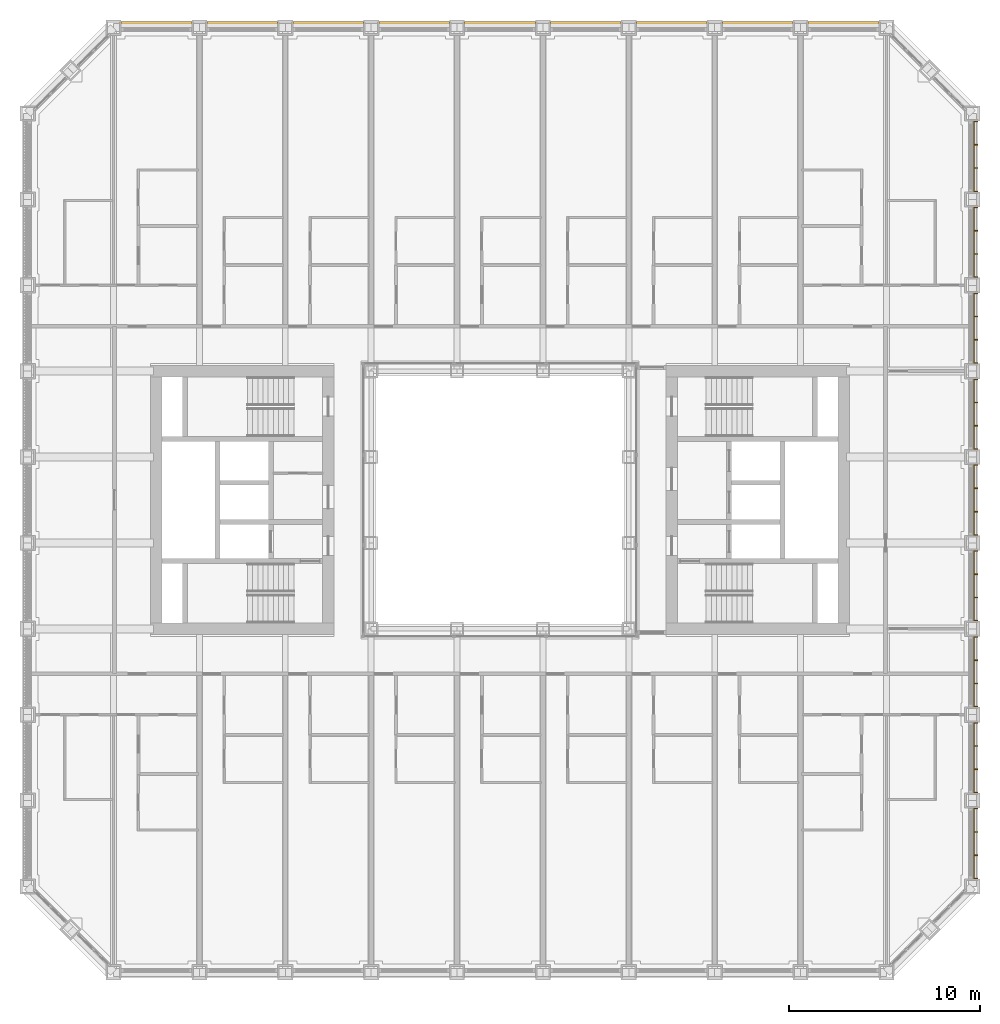
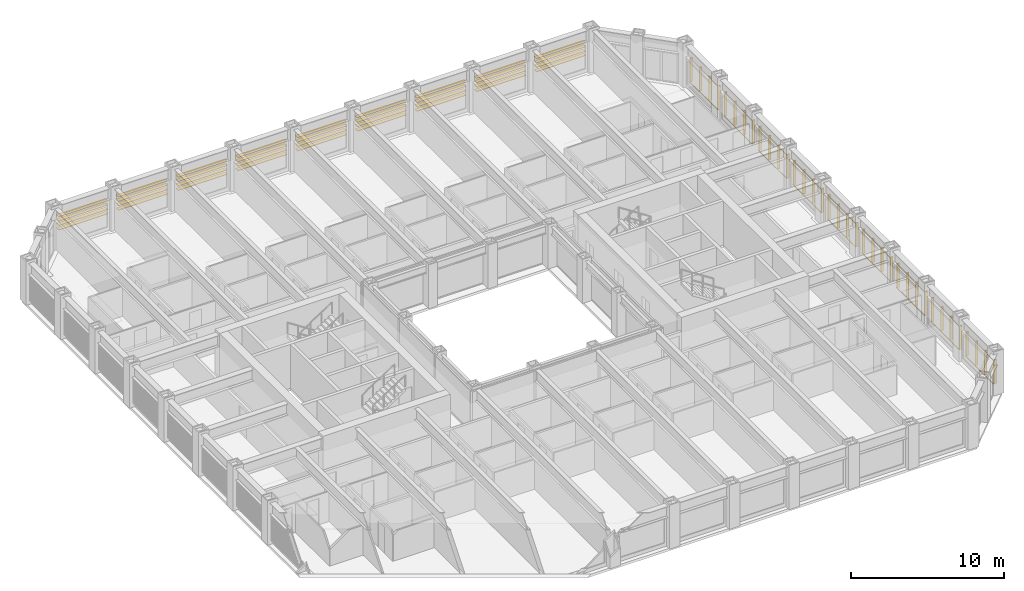
# One storey, part 21 of 21: 2 shading devices.
"""IFC4 building model written with IfcOpenShell, lengths in metres."""

import ifcopenshell
import ifcopenshell.guid

model = None  # the IFC model being written
_history = None  # IfcOwnerHistory: only IFC2X3 demands one
_inside = {}  # id of a spatial element -> (the spatial element, [elements in it])
_under = {}  # id of a project, library or spatial element -> (it, [spatial elements below it])
_declared = {}  # id of a project -> (the project, [libraries it declares])
_typed = {}  # id of a type object -> (the type object, [elements of that type])
_made_of = {}  # id of a material, layer set ... -> (it, [elements and type objects made of it])


def new_model(schema):
    """Start an empty IFC model of exactly this schema.

    Asked for "IFC4X3", IfcOpenShell would pick the latest addendum, in which some entities
    have other attributes; the version numbers below select the first issue.
    IFC2X3 requires an IfcOwnerHistory on every rooted entity: one is made here for all.
    """
    global model, _history
    if schema == "IFC4X3":
        model = ifcopenshell.file(schema_version=(4, 3, 0, 0))
    else:
        model = ifcopenshell.file(schema=schema)
    _inside.clear()
    _under.clear()
    _declared.clear()
    _typed.clear()
    _made_of.clear()
    _history = None
    if model.schema == "IFC2X3":
        org = make("IfcOrganization", Name="unknown")
        user = make(
            "IfcPersonAndOrganization",
            ThePerson=make("IfcPerson", FamilyName="unknown"),
            TheOrganization=org,
        )
        app = make(
            "IfcApplication",
            ApplicationDeveloper=org,
            Version="unknown",
            ApplicationFullName="unknown",
            ApplicationIdentifier="unknown",
        )
        _history = make(
            "IfcOwnerHistory",
            OwningUser=user,
            OwningApplication=app,
            ChangeAction="ADDED",
            CreationDate=0,
        )
    return model


def make(cls, **values):
    """One entity of the class cls with the attributes given. An attribute that is None is left unset."""
    return model.create_entity(
        cls, **{name: value for name, value in values.items() if value is not None}
    )


def rooted(cls, **values):
    """An entity with a GlobalId (a new one), such as an element, a storey or a relation."""
    return make(cls, GlobalId=ifcopenshell.guid.new(), OwnerHistory=_history, **values)


def si_unit(unit_type, name, prefix=None):
    """IfcSIUnit, for example si_unit("LENGTHUNIT", "METRE", prefix="MILLI")."""
    return make("IfcSIUnit", UnitType=unit_type, Prefix=prefix, Name=name)


def assignment(units):
    """IfcUnitAssignment: the units of a project."""
    return None if units is None else make("IfcUnitAssignment", Units=units)


def point(xyz):
    """IfcCartesianPoint."""
    return None if xyz is None else make("IfcCartesianPoint", Coordinates=xyz)


def direction(xyz):
    """IfcDirection."""
    return None if xyz is None else make("IfcDirection", DirectionRatios=xyz)


def frame(location, z_axis=None, x_axis=None):
    """IfcAxis2Placement3D, a coordinate frame: its origin and axes. An axis left out is left unset."""
    return make(
        "IfcAxis2Placement3D",
        Location=point(location),
        Axis=direction(z_axis),
        RefDirection=direction(x_axis),
    )


def frame_2d(location, x_axis=None):
    """IfcAxis2Placement2D, a coordinate frame in the plane: its origin and x axis."""
    return make(
        "IfcAxis2Placement2D", Location=point(location), RefDirection=direction(x_axis)
    )


def origin():
    """The frame at (0, 0, 0) with its axes left unset."""
    return frame((0.0, 0.0, 0.0))


def origin_2d():
    """The frame at (0, 0) in the plane with its x axis left unset."""
    return frame_2d((0.0, 0.0))


def place(relative_to, where):
    """IfcLocalPlacement: puts the frame where relative to a parent placement (None: the world)."""
    return make(
        "IfcLocalPlacement", PlacementRelTo=relative_to, RelativePlacement=where
    )


def context(
    kind, dimensions, precision=None, world=None, true_north=None, identifier=None
):
    """IfcGeometricRepresentationContext, for example the 3D "Model" context."""
    return make(
        "IfcGeometricRepresentationContext",
        ContextIdentifier=identifier,
        ContextType=kind,
        CoordinateSpaceDimension=dimensions,
        Precision=precision,
        WorldCoordinateSystem=world,
        TrueNorth=true_north,
    )


def subcontext(parent, identifier, kind, view, scale=None):
    """IfcGeometricRepresentationSubContext, for example "Body" below "Model"."""
    return make(
        "IfcGeometricRepresentationSubContext",
        ContextIdentifier=identifier,
        ContextType=kind,
        ParentContext=parent,
        TargetScale=scale,
        TargetView=view,
    )


def project(units=None, contexts=None):
    """IfcProject with its units and contexts."""
    return rooted(
        "IfcProject",
        Name="project",
        RepresentationContexts=contexts,
        UnitsInContext=assignment(units),
    )


def spatial(cls, under=None, at=None, **own):
    """A site, building, storey or space (cls), placed at a placement, below another one or the project."""
    s = rooted(cls, ObjectPlacement=at, **own)
    if under is not None:
        _under.setdefault(under.id(), (under, []))[1].append(s)
    return s


def profile(cls, at=None, kind="AREA", **sizes):
    """A parametric profile (cls). Its sizes go by their IFC names, for example OverallWidth=200.0."""
    return make(cls, ProfileType=kind, Position=at, **sizes)


def rectangle(**sizes):
    """IfcRectangleProfileDef."""
    return profile("IfcRectangleProfileDef", **sizes)


def extrude(swept, where, along, depth):
    """IfcExtrudedAreaSolid: the profile swept, set in the frame where, extruded along a direction by depth."""
    return make(
        "IfcExtrudedAreaSolid",
        SweptArea=swept,
        Position=where,
        ExtrudedDirection=direction(along),
        Depth=depth,
    )


def shape(context_of_items, identifier, shape_type, items):
    """IfcShapeRepresentation: the items that make up one representation, for example the "Body"."""
    return make(
        "IfcShapeRepresentation",
        ContextOfItems=context_of_items,
        RepresentationIdentifier=identifier,
        RepresentationType=shape_type,
        Items=items,
    )


def material(Name=None, Category=None):
    """IfcMaterial."""
    return make("IfcMaterial", Name=Name, Category=Category)


def made_of(thing, what):
    """Note that an element or type object is made of a material, layer set ...; save() writes the relation."""
    if what is not None:
        _made_of.setdefault(what.id(), (what, []))[1].append(thing)
    return thing


def type_object(cls, material=None, **own):
    """A type object (cls), such as IfcWallType, which elements share."""
    return made_of(rooted(cls, **own), material)


def element(
    cls,
    number,
    at=None,
    inside=None,
    cuts=None,
    type_object=None,
    material=None,
    context=None,
    identifier="Body",
    shape_type=None,
    held_by="IfcProductDefinitionShape",
    body=None,
    shapes=None,
    **own,
):
    """One element of the class cls, such as IfcWall. Its Tag is "e" and its number.

    at: its placement. inside: the storey or other place that contains it. cuts: it is an
    opening in that element (IfcRelVoidsElement). A single representation is given by context,
    identifier, shape_type and body (its items); several are given by shapes. held_by: the class
    of the entity that holds the representations. save() writes the other relations.
    """
    e = rooted(cls, Tag="e%d" % number, ObjectPlacement=at, **own)
    if body is not None:
        shapes = [shape(context, identifier, shape_type, body)]
    if shapes is not None:
        e.Representation = make(held_by, Representations=shapes)
    if inside is not None:
        _inside.setdefault(inside.id(), (inside, []))[1].append(e)
    if cuts is not None:
        rooted(
            "IfcRelVoidsElement", RelatingBuildingElement=cuts, RelatedOpeningElement=e
        )
    if type_object is not None:
        _typed.setdefault(type_object.id(), (type_object, []))[1].append(e)
    return made_of(e, material)


def aggregate(whole, parts):
    """IfcRelAggregates: a whole, such as a stair, and the parts it consists of."""
    return rooted("IfcRelAggregates", RelatingObject=whole, RelatedObjects=parts)


def save(model, path):
    """Write the relations noted so far, then the file.

    IfcRelAggregates (storeys below a building ...), IfcRelContainedInSpatialStructure (elements
    in a storey), IfcRelDefinesByType, IfcRelAssociatesMaterial and IfcRelDeclares: one each for
    every whole, place, type object, material and project.
    """
    for whole, parts in _under.values():
        aggregate(whole, parts)
    for where, things in _inside.values():
        rooted(
            "IfcRelContainedInSpatialStructure",
            RelatedElements=things,
            RelatingStructure=where,
        )
    for kind, things in _typed.values():
        rooted("IfcRelDefinesByType", RelatedObjects=things, RelatingType=kind)
    for what, things in _made_of.values():
        rooted("IfcRelAssociatesMaterial", RelatedObjects=things, RelatingMaterial=what)
    for by, libraries in _declared.values():
        rooted("IfcRelDeclares", RelatingContext=by, RelatedDefinitions=libraries)
    model.write(path)


model = new_model("IFC4")

# Units and contexts
model_context = context("Model", 3, precision=1e-05, world=origin(), true_north=direction((0.0, 1.0)))
body_context = subcontext(model_context, "Body", "Model", "MODEL_VIEW")
ifc_project = project(units=[si_unit("LENGTHUNIT", "METRE"), si_unit("AREAUNIT", "SQUARE_METRE"), si_unit("VOLUMEUNIT", "CUBIC_METRE"), si_unit("PLANEANGLEUNIT", "RADIAN"), si_unit("MASSUNIT", "GRAM", prefix="KILO")], contexts=[model_context])

# Site, building, storey
site_placement = place(None, origin())
site = spatial("IfcSite", under=ifc_project, at=site_placement, CompositionType="ELEMENT")
building_placement = place(site_placement, origin())
building = spatial("IfcBuilding", under=site, at=building_placement, Name="Msasa Ring Tower", CompositionType="ELEMENT")
storey_placement = place(building_placement, frame((0.0, 0.0, 30.0)))
storey = spatial("IfcBuildingStorey", under=building, at=storey_placement, Name="L06", CompositionType="ELEMENT", Elevation=30.0)

# Shading devices
ifc_material_1 = material(Name="Extruded terracotta on aluminium carriers", Category="masonry")
shading_device_type_1 = type_object("IfcShadingDeviceType", Name="BS2 TERRACOTTA FIN SCREEN 40x200 AT 1350", PredefinedType="USERDEFINED", material=ifc_material_1)
shading_device_1_placement = place(storey_placement, origin())
element("IfcShadingDevice", 1, at=shading_device_1_placement, inside=storey, type_object=shading_device_type_1, Name="Terracotta fin screen E L06", ObjectType="BAGUETTE", PredefinedType="USERDEFINED", context=body_context, shape_type="SweptSolid", body=[
    extrude(rectangle(XDim=0.06005859375, YDim=0.0400390625, at=origin_2d()), frame((24.830078125, -19.85009765625, 0.330078125), z_axis=(0.0, 1.0, 0.0), x_axis=(0.0, 0.0, 1.0)), (0.0, 0.0, 1.0), 3.699951171875),
    extrude(rectangle(XDim=0.06005859375, YDim=0.0400390625, at=origin_2d()), frame((24.830078125, -19.85009765625, 2.198974609375), z_axis=(0.0, 1.0, 0.0), x_axis=(0.0, 0.0, 1.0)), (0.0, 0.0, 1.0), 3.699951171875),
    extrude(rectangle(XDim=0.0400390625, YDim=0.199951171875, at=origin_2d()), frame((24.945068359375, -19.830078125, 0.300048828125), z_axis=(0.0, 0.0, 1.0), x_axis=(0.0, 1.0, 0.0)), (0.0, 0.0, 1.0), 1.928955078125),
    extrude(rectangle(XDim=0.0400390625, YDim=0.199951171875, at=origin_2d()), frame((24.945068359375, -18.610107421875, 0.300048828125), z_axis=(0.0, 0.0, 1.0), x_axis=(0.0, 1.0, 0.0)), (0.0, 0.0, 1.0), 1.928955078125),
    extrude(rectangle(XDim=0.0400390625, YDim=0.199951171875, at=origin_2d()), frame((24.945068359375, -17.389892578125, 0.300048828125), z_axis=(0.0, 0.0, 1.0), x_axis=(0.0, 1.0, 0.0)), (0.0, 0.0, 1.0), 1.928955078125),
    extrude(rectangle(XDim=0.0400390625, YDim=0.199951171875, at=origin_2d()), frame((24.945068359375, -16.169921875, 0.300048828125), z_axis=(0.0, 0.0, 1.0), x_axis=(0.0, 1.0, 0.0)), (0.0, 0.0, 1.0), 1.928955078125),
    extrude(rectangle(XDim=0.06005859375, YDim=0.0400390625, at=origin_2d()), frame((24.830078125, -15.35009765625, 0.330078125), z_axis=(0.0, 1.0, 0.0), x_axis=(0.0, 0.0, 1.0)), (0.0, 0.0, 1.0), 3.699951171875),
    extrude(rectangle(XDim=0.06005859375, YDim=0.0400390625, at=origin_2d()), frame((24.830078125, -15.35009765625, 2.198974609375), z_axis=(0.0, 1.0, 0.0), x_axis=(0.0, 0.0, 1.0)), (0.0, 0.0, 1.0), 3.699951171875),
    extrude(rectangle(XDim=0.0400390625, YDim=0.199951171875, at=origin_2d()), frame((24.945068359375, -15.330078125, 0.300048828125), z_axis=(0.0, 0.0, 1.0), x_axis=(0.0, 1.0, 0.0)), (0.0, 0.0, 1.0), 1.928955078125),
    extrude(rectangle(XDim=0.0400390625, YDim=0.199951171875, at=origin_2d()), frame((24.945068359375, -14.110107421875, 0.300048828125), z_axis=(0.0, 0.0, 1.0), x_axis=(0.0, 1.0, 0.0)), (0.0, 0.0, 1.0), 1.928955078125),
    extrude(rectangle(XDim=0.0400390625, YDim=0.199951171875, at=origin_2d()), frame((24.945068359375, -12.889892578125, 0.300048828125), z_axis=(0.0, 0.0, 1.0), x_axis=(0.0, 1.0, 0.0)), (0.0, 0.0, 1.0), 1.928955078125),
    extrude(rectangle(XDim=0.0400390625, YDim=0.199951171875, at=origin_2d()), frame((24.945068359375, -11.669921875, 0.300048828125), z_axis=(0.0, 0.0, 1.0), x_axis=(0.0, 1.0, 0.0)), (0.0, 0.0, 1.0), 1.928955078125),
    extrude(rectangle(XDim=0.06005859375, YDim=0.0400390625, at=origin_2d()), frame((24.830078125, -10.85009765625, 0.330078125), z_axis=(0.0, 1.0, 0.0), x_axis=(0.0, 0.0, 1.0)), (0.0, 0.0, 1.0), 3.699951171875),
    extrude(rectangle(XDim=0.06005859375, YDim=0.0400390625, at=origin_2d()), frame((24.830078125, -10.85009765625, 2.198974609375), z_axis=(0.0, 1.0, 0.0), x_axis=(0.0, 0.0, 1.0)), (0.0, 0.0, 1.0), 3.699951171875),
    extrude(rectangle(XDim=0.0400390625, YDim=0.199951171875, at=origin_2d()), frame((24.945068359375, -10.830078125, 0.300048828125), z_axis=(0.0, 0.0, 1.0), x_axis=(0.0, 1.0, 0.0)), (0.0, 0.0, 1.0), 1.928955078125),
    extrude(rectangle(XDim=0.0400390625, YDim=0.199951171875, at=origin_2d()), frame((24.945068359375, -9.610107421875, 0.300048828125), z_axis=(0.0, 0.0, 1.0), x_axis=(0.0, 1.0, 0.0)), (0.0, 0.0, 1.0), 1.928955078125),
    extrude(rectangle(XDim=0.0400390625, YDim=0.199951171875, at=origin_2d()), frame((24.945068359375, -8.389892578125, 0.300048828125), z_axis=(0.0, 0.0, 1.0), x_axis=(0.0, 1.0, 0.0)), (0.0, 0.0, 1.0), 1.928955078125),
    extrude(rectangle(XDim=0.0400390625, YDim=0.199951171875, at=origin_2d()), frame((24.945068359375, -7.169921875, 0.300048828125), z_axis=(0.0, 0.0, 1.0), x_axis=(0.0, 1.0, 0.0)), (0.0, 0.0, 1.0), 1.928955078125),
    extrude(rectangle(XDim=0.06005859375, YDim=0.0400390625, at=origin_2d()), frame((24.830078125, -6.35009765625, 0.330078125), z_axis=(0.0, 1.0, 0.0), x_axis=(0.0, 0.0, 1.0)), (0.0, 0.0, 1.0), 3.699951171875),
    extrude(rectangle(XDim=0.06005859375, YDim=0.0400390625, at=origin_2d()), frame((24.830078125, -6.35009765625, 2.198974609375), z_axis=(0.0, 1.0, 0.0), x_axis=(0.0, 0.0, 1.0)), (0.0, 0.0, 1.0), 3.699951171875),
    extrude(rectangle(XDim=0.0400390625, YDim=0.199951171875, at=origin_2d()), frame((24.945068359375, -6.330078125, 0.300048828125), z_axis=(0.0, 0.0, 1.0), x_axis=(0.0, 1.0, 0.0)), (0.0, 0.0, 1.0), 1.928955078125),
    extrude(rectangle(XDim=0.0400390625, YDim=0.199951171875, at=origin_2d()), frame((24.945068359375, -5.110107421875, 0.300048828125), z_axis=(0.0, 0.0, 1.0), x_axis=(0.0, 1.0, 0.0)), (0.0, 0.0, 1.0), 1.928955078125),
    extrude(rectangle(XDim=0.0400390625, YDim=0.199951171875, at=origin_2d()), frame((24.945068359375, -3.889892578125, 0.300048828125), z_axis=(0.0, 0.0, 1.0), x_axis=(0.0, 1.0, 0.0)), (0.0, 0.0, 1.0), 1.928955078125),
    extrude(rectangle(XDim=0.0400390625, YDim=0.199951171875, at=origin_2d()), frame((24.945068359375, -2.669921875, 0.300048828125), z_axis=(0.0, 0.0, 1.0), x_axis=(0.0, 1.0, 0.0)), (0.0, 0.0, 1.0), 1.928955078125),
    extrude(rectangle(XDim=0.06005859375, YDim=0.0400390625, at=origin_2d()), frame((24.830078125, -1.85009765625, 0.330078125), z_axis=(0.0, 1.0, 0.0), x_axis=(0.0, 0.0, 1.0)), (0.0, 0.0, 1.0), 3.699951171875),
    extrude(rectangle(XDim=0.06005859375, YDim=0.0400390625, at=origin_2d()), frame((24.830078125, -1.85009765625, 2.198974609375), z_axis=(0.0, 1.0, 0.0), x_axis=(0.0, 0.0, 1.0)), (0.0, 0.0, 1.0), 3.699951171875),
    extrude(rectangle(XDim=0.0400390625, YDim=0.199951171875, at=origin_2d()), frame((24.945068359375, -1.830078125, 0.300048828125), z_axis=(0.0, 0.0, 1.0), x_axis=(0.0, 1.0, 0.0)), (0.0, 0.0, 1.0), 1.928955078125),
    extrude(rectangle(XDim=0.0400390625, YDim=0.199951171875, at=origin_2d()), frame((24.945068359375, -0.610107421875, 0.300048828125), z_axis=(0.0, 0.0, 1.0), x_axis=(0.0, 1.0, 0.0)), (0.0, 0.0, 1.0), 1.928955078125),
    extrude(rectangle(XDim=0.0400390625, YDim=0.199951171875, at=origin_2d()), frame((24.945068359375, 0.610107421875, 0.300048828125), z_axis=(0.0, 0.0, 1.0), x_axis=(0.0, 1.0, 0.0)), (0.0, 0.0, 1.0), 1.928955078125),
    extrude(rectangle(XDim=0.0400390625, YDim=0.199951171875, at=origin_2d()), frame((24.945068359375, 1.830078125, 0.300048828125), z_axis=(0.0, 0.0, 1.0), x_axis=(0.0, 1.0, 0.0)), (0.0, 0.0, 1.0), 1.928955078125),
    extrude(rectangle(XDim=0.06005859375, YDim=0.0400390625, at=origin_2d()), frame((24.830078125, 2.64990234375, 0.330078125), z_axis=(0.0, 1.0, 0.0), x_axis=(0.0, 0.0, 1.0)), (0.0, 0.0, 1.0), 3.699951171875),
    extrude(rectangle(XDim=0.06005859375, YDim=0.0400390625, at=origin_2d()), frame((24.830078125, 2.64990234375, 2.198974609375), z_axis=(0.0, 1.0, 0.0), x_axis=(0.0, 0.0, 1.0)), (0.0, 0.0, 1.0), 3.699951171875),
    extrude(rectangle(XDim=0.0400390625, YDim=0.199951171875, at=origin_2d()), frame((24.945068359375, 2.669921875, 0.300048828125), z_axis=(0.0, 0.0, 1.0), x_axis=(0.0, 1.0, 0.0)), (0.0, 0.0, 1.0), 1.928955078125),
    extrude(rectangle(XDim=0.0400390625, YDim=0.199951171875, at=origin_2d()), frame((24.945068359375, 3.889892578125, 0.300048828125), z_axis=(0.0, 0.0, 1.0), x_axis=(0.0, 1.0, 0.0)), (0.0, 0.0, 1.0), 1.928955078125),
    extrude(rectangle(XDim=0.0400390625, YDim=0.199951171875, at=origin_2d()), frame((24.945068359375, 5.110107421875, 0.300048828125), z_axis=(0.0, 0.0, 1.0), x_axis=(0.0, 1.0, 0.0)), (0.0, 0.0, 1.0), 1.928955078125),
    extrude(rectangle(XDim=0.0400390625, YDim=0.199951171875, at=origin_2d()), frame((24.945068359375, 6.330078125, 0.300048828125), z_axis=(0.0, 0.0, 1.0), x_axis=(0.0, 1.0, 0.0)), (0.0, 0.0, 1.0), 1.928955078125),
    extrude(rectangle(XDim=0.06005859375, YDim=0.0400390625, at=origin_2d()), frame((24.830078125, 7.14990234375, 0.330078125), z_axis=(0.0, 1.0, 0.0), x_axis=(0.0, 0.0, 1.0)), (0.0, 0.0, 1.0), 3.699951171875),
    extrude(rectangle(XDim=0.06005859375, YDim=0.0400390625, at=origin_2d()), frame((24.830078125, 7.14990234375, 2.198974609375), z_axis=(0.0, 1.0, 0.0), x_axis=(0.0, 0.0, 1.0)), (0.0, 0.0, 1.0), 3.699951171875),
    extrude(rectangle(XDim=0.0400390625, YDim=0.199951171875, at=origin_2d()), frame((24.945068359375, 7.169921875, 0.300048828125), z_axis=(0.0, 0.0, 1.0), x_axis=(0.0, 1.0, 0.0)), (0.0, 0.0, 1.0), 1.928955078125),
    extrude(rectangle(XDim=0.0400390625, YDim=0.199951171875, at=origin_2d()), frame((24.945068359375, 8.389892578125, 0.300048828125), z_axis=(0.0, 0.0, 1.0), x_axis=(0.0, 1.0, 0.0)), (0.0, 0.0, 1.0), 1.928955078125),
    extrude(rectangle(XDim=0.0400390625, YDim=0.199951171875, at=origin_2d()), frame((24.945068359375, 9.610107421875, 0.300048828125), z_axis=(0.0, 0.0, 1.0), x_axis=(0.0, 1.0, 0.0)), (0.0, 0.0, 1.0), 1.928955078125),
    extrude(rectangle(XDim=0.0400390625, YDim=0.199951171875, at=origin_2d()), frame((24.945068359375, 10.830078125, 0.300048828125), z_axis=(0.0, 0.0, 1.0), x_axis=(0.0, 1.0, 0.0)), (0.0, 0.0, 1.0), 1.928955078125),
    extrude(rectangle(XDim=0.06005859375, YDim=0.0400390625, at=origin_2d()), frame((24.830078125, 11.64990234375, 0.330078125), z_axis=(0.0, 1.0, 0.0), x_axis=(0.0, 0.0, 1.0)), (0.0, 0.0, 1.0), 3.699951171875),
    extrude(rectangle(XDim=0.06005859375, YDim=0.0400390625, at=origin_2d()), frame((24.830078125, 11.64990234375, 2.198974609375), z_axis=(0.0, 1.0, 0.0), x_axis=(0.0, 0.0, 1.0)), (0.0, 0.0, 1.0), 3.699951171875),
    extrude(rectangle(XDim=0.0400390625, YDim=0.199951171875, at=origin_2d()), frame((24.945068359375, 11.669921875, 0.300048828125), z_axis=(0.0, 0.0, 1.0), x_axis=(0.0, 1.0, 0.0)), (0.0, 0.0, 1.0), 1.928955078125),
    extrude(rectangle(XDim=0.0400390625, YDim=0.199951171875, at=origin_2d()), frame((24.945068359375, 12.889892578125, 0.300048828125), z_axis=(0.0, 0.0, 1.0), x_axis=(0.0, 1.0, 0.0)), (0.0, 0.0, 1.0), 1.928955078125),
    extrude(rectangle(XDim=0.0400390625, YDim=0.199951171875, at=origin_2d()), frame((24.945068359375, 14.110107421875, 0.300048828125), z_axis=(0.0, 0.0, 1.0), x_axis=(0.0, 1.0, 0.0)), (0.0, 0.0, 1.0), 1.928955078125),
    extrude(rectangle(XDim=0.0400390625, YDim=0.199951171875, at=origin_2d()), frame((24.945068359375, 15.330078125, 0.300048828125), z_axis=(0.0, 0.0, 1.0), x_axis=(0.0, 1.0, 0.0)), (0.0, 0.0, 1.0), 1.928955078125),
    extrude(rectangle(XDim=0.06005859375, YDim=0.0400390625, at=origin_2d()), frame((24.830078125, 16.14990234375, 0.330078125), z_axis=(0.0, 1.0, 0.0), x_axis=(0.0, 0.0, 1.0)), (0.0, 0.0, 1.0), 3.699951171875),
    extrude(rectangle(XDim=0.06005859375, YDim=0.0400390625, at=origin_2d()), frame((24.830078125, 16.14990234375, 2.198974609375), z_axis=(0.0, 1.0, 0.0), x_axis=(0.0, 0.0, 1.0)), (0.0, 0.0, 1.0), 3.699951171875),
    extrude(rectangle(XDim=0.0400390625, YDim=0.199951171875, at=origin_2d()), frame((24.945068359375, 16.169921875, 0.300048828125), z_axis=(0.0, 0.0, 1.0), x_axis=(0.0, 1.0, 0.0)), (0.0, 0.0, 1.0), 1.928955078125),
    extrude(rectangle(XDim=0.0400390625, YDim=0.199951171875, at=origin_2d()), frame((24.945068359375, 17.389892578125, 0.300048828125), z_axis=(0.0, 0.0, 1.0), x_axis=(0.0, 1.0, 0.0)), (0.0, 0.0, 1.0), 1.928955078125),
    extrude(rectangle(XDim=0.0400390625, YDim=0.199951171875, at=origin_2d()), frame((24.945068359375, 18.610107421875, 0.300048828125), z_axis=(0.0, 0.0, 1.0), x_axis=(0.0, 1.0, 0.0)), (0.0, 0.0, 1.0), 1.928955078125),
    extrude(rectangle(XDim=0.0400390625, YDim=0.199951171875, at=origin_2d()), frame((24.945068359375, 19.830078125, 0.300048828125), z_axis=(0.0, 0.0, 1.0), x_axis=(0.0, 1.0, 0.0)), (0.0, 0.0, 1.0), 1.928955078125),
])
ifc_material_2 = material(Name="Extruded terracotta blades", Category="masonry")
shading_device_type_2 = type_object("IfcShadingDeviceType", Name="SS1 TERRACOTTA SUNSHADE 4 BLADES 300x40 AT 350", PredefinedType="USERDEFINED", material=ifc_material_2)
shading_device_2_placement = place(storey_placement, origin())
element("IfcShadingDevice", 2, at=shading_device_2_placement, inside=storey, type_object=shading_device_type_2, Name="Terracotta sunshade N L06", ObjectType="SUNSHADE", PredefinedType="USERDEFINED", context=body_context, shape_type="SweptSolid", body=[
    extrude(rectangle(XDim=0.0400390625, YDim=0.300048828125, at=origin_2d()), frame((-19.85009765625, 24.929931640625, 2.208984375), z_axis=(1.0, 0.0, 0.0), x_axis=(0.0, 0.0, 1.0)), (0.0, 0.0, 1.0), 3.699951171875),
    extrude(rectangle(XDim=0.0400390625, YDim=0.300048828125, at=origin_2d()), frame((-19.85009765625, 24.929931640625, 1.85888671875), z_axis=(1.0, 0.0, 0.0), x_axis=(0.0, 0.0, 1.0)), (0.0, 0.0, 1.0), 3.699951171875),
    extrude(rectangle(XDim=0.0400390625, YDim=0.300048828125, at=origin_2d()), frame((-19.85009765625, 24.929931640625, 1.509033203125), z_axis=(1.0, 0.0, 0.0), x_axis=(0.0, 0.0, 1.0)), (0.0, 0.0, 1.0), 3.699951171875),
    extrude(rectangle(XDim=0.0400390625, YDim=0.300048828125, at=origin_2d()), frame((-19.85009765625, 24.929931640625, 1.158935546875), z_axis=(1.0, 0.0, 0.0), x_axis=(0.0, 0.0, 1.0)), (0.0, 0.0, 1.0), 3.699951171875),
    extrude(rectangle(XDim=0.0400390625, YDim=0.300048828125, at=origin_2d()), frame((-15.35009765625, 24.929931640625, 2.208984375), z_axis=(1.0, 0.0, 0.0), x_axis=(0.0, 0.0, 1.0)), (0.0, 0.0, 1.0), 3.699951171875),
    extrude(rectangle(XDim=0.0400390625, YDim=0.300048828125, at=origin_2d()), frame((-15.35009765625, 24.929931640625, 1.85888671875), z_axis=(1.0, 0.0, 0.0), x_axis=(0.0, 0.0, 1.0)), (0.0, 0.0, 1.0), 3.699951171875),
    extrude(rectangle(XDim=0.0400390625, YDim=0.300048828125, at=origin_2d()), frame((-15.35009765625, 24.929931640625, 1.509033203125), z_axis=(1.0, 0.0, 0.0), x_axis=(0.0, 0.0, 1.0)), (0.0, 0.0, 1.0), 3.699951171875),
    extrude(rectangle(XDim=0.0400390625, YDim=0.300048828125, at=origin_2d()), frame((-15.35009765625, 24.929931640625, 1.158935546875), z_axis=(1.0, 0.0, 0.0), x_axis=(0.0, 0.0, 1.0)), (0.0, 0.0, 1.0), 3.699951171875),
    extrude(rectangle(XDim=0.0400390625, YDim=0.300048828125, at=origin_2d()), frame((-10.85009765625, 24.929931640625, 2.208984375), z_axis=(1.0, 0.0, 0.0), x_axis=(0.0, 0.0, 1.0)), (0.0, 0.0, 1.0), 3.699951171875),
    extrude(rectangle(XDim=0.0400390625, YDim=0.300048828125, at=origin_2d()), frame((-10.85009765625, 24.929931640625, 1.85888671875), z_axis=(1.0, 0.0, 0.0), x_axis=(0.0, 0.0, 1.0)), (0.0, 0.0, 1.0), 3.699951171875),
    extrude(rectangle(XDim=0.0400390625, YDim=0.300048828125, at=origin_2d()), frame((-10.85009765625, 24.929931640625, 1.509033203125), z_axis=(1.0, 0.0, 0.0), x_axis=(0.0, 0.0, 1.0)), (0.0, 0.0, 1.0), 3.699951171875),
    extrude(rectangle(XDim=0.0400390625, YDim=0.300048828125, at=origin_2d()), frame((-10.85009765625, 24.929931640625, 1.158935546875), z_axis=(1.0, 0.0, 0.0), x_axis=(0.0, 0.0, 1.0)), (0.0, 0.0, 1.0), 3.699951171875),
    extrude(rectangle(XDim=0.0400390625, YDim=0.300048828125, at=origin_2d()), frame((-6.35009765625, 24.929931640625, 2.208984375), z_axis=(1.0, 0.0, 0.0), x_axis=(0.0, 0.0, 1.0)), (0.0, 0.0, 1.0), 3.699951171875),
    extrude(rectangle(XDim=0.0400390625, YDim=0.300048828125, at=origin_2d()), frame((-6.35009765625, 24.929931640625, 1.85888671875), z_axis=(1.0, 0.0, 0.0), x_axis=(0.0, 0.0, 1.0)), (0.0, 0.0, 1.0), 3.699951171875),
    extrude(rectangle(XDim=0.0400390625, YDim=0.300048828125, at=origin_2d()), frame((-6.35009765625, 24.929931640625, 1.509033203125), z_axis=(1.0, 0.0, 0.0), x_axis=(0.0, 0.0, 1.0)), (0.0, 0.0, 1.0), 3.699951171875),
    extrude(rectangle(XDim=0.0400390625, YDim=0.300048828125, at=origin_2d()), frame((-6.35009765625, 24.929931640625, 1.158935546875), z_axis=(1.0, 0.0, 0.0), x_axis=(0.0, 0.0, 1.0)), (0.0, 0.0, 1.0), 3.699951171875),
    extrude(rectangle(XDim=0.0400390625, YDim=0.300048828125, at=origin_2d()), frame((-1.85009765625, 24.929931640625, 2.208984375), z_axis=(1.0, 0.0, 0.0), x_axis=(0.0, 0.0, 1.0)), (0.0, 0.0, 1.0), 3.699951171875),
    extrude(rectangle(XDim=0.0400390625, YDim=0.300048828125, at=origin_2d()), frame((-1.85009765625, 24.929931640625, 1.85888671875), z_axis=(1.0, 0.0, 0.0), x_axis=(0.0, 0.0, 1.0)), (0.0, 0.0, 1.0), 3.699951171875),
    extrude(rectangle(XDim=0.0400390625, YDim=0.300048828125, at=origin_2d()), frame((-1.85009765625, 24.929931640625, 1.509033203125), z_axis=(1.0, 0.0, 0.0), x_axis=(0.0, 0.0, 1.0)), (0.0, 0.0, 1.0), 3.699951171875),
    extrude(rectangle(XDim=0.0400390625, YDim=0.300048828125, at=origin_2d()), frame((-1.85009765625, 24.929931640625, 1.158935546875), z_axis=(1.0, 0.0, 0.0), x_axis=(0.0, 0.0, 1.0)), (0.0, 0.0, 1.0), 3.699951171875),
    extrude(rectangle(XDim=0.0400390625, YDim=0.300048828125, at=origin_2d()), frame((2.64990234375, 24.929931640625, 2.208984375), z_axis=(1.0, 0.0, 0.0), x_axis=(0.0, 0.0, 1.0)), (0.0, 0.0, 1.0), 3.699951171875),
    extrude(rectangle(XDim=0.0400390625, YDim=0.300048828125, at=origin_2d()), frame((2.64990234375, 24.929931640625, 1.85888671875), z_axis=(1.0, 0.0, 0.0), x_axis=(0.0, 0.0, 1.0)), (0.0, 0.0, 1.0), 3.699951171875),
    extrude(rectangle(XDim=0.0400390625, YDim=0.300048828125, at=origin_2d()), frame((2.64990234375, 24.929931640625, 1.509033203125), z_axis=(1.0, 0.0, 0.0), x_axis=(0.0, 0.0, 1.0)), (0.0, 0.0, 1.0), 3.699951171875),
    extrude(rectangle(XDim=0.0400390625, YDim=0.300048828125, at=origin_2d()), frame((2.64990234375, 24.929931640625, 1.158935546875), z_axis=(1.0, 0.0, 0.0), x_axis=(0.0, 0.0, 1.0)), (0.0, 0.0, 1.0), 3.699951171875),
    extrude(rectangle(XDim=0.0400390625, YDim=0.300048828125, at=origin_2d()), frame((7.14990234375, 24.929931640625, 2.208984375), z_axis=(1.0, 0.0, 0.0), x_axis=(0.0, 0.0, 1.0)), (0.0, 0.0, 1.0), 3.699951171875),
    extrude(rectangle(XDim=0.0400390625, YDim=0.300048828125, at=origin_2d()), frame((7.14990234375, 24.929931640625, 1.85888671875), z_axis=(1.0, 0.0, 0.0), x_axis=(0.0, 0.0, 1.0)), (0.0, 0.0, 1.0), 3.699951171875),
    extrude(rectangle(XDim=0.0400390625, YDim=0.300048828125, at=origin_2d()), frame((7.14990234375, 24.929931640625, 1.509033203125), z_axis=(1.0, 0.0, 0.0), x_axis=(0.0, 0.0, 1.0)), (0.0, 0.0, 1.0), 3.699951171875),
    extrude(rectangle(XDim=0.0400390625, YDim=0.300048828125, at=origin_2d()), frame((7.14990234375, 24.929931640625, 1.158935546875), z_axis=(1.0, 0.0, 0.0), x_axis=(0.0, 0.0, 1.0)), (0.0, 0.0, 1.0), 3.699951171875),
    extrude(rectangle(XDim=0.0400390625, YDim=0.300048828125, at=origin_2d()), frame((11.64990234375, 24.929931640625, 2.208984375), z_axis=(1.0, 0.0, 0.0), x_axis=(0.0, 0.0, 1.0)), (0.0, 0.0, 1.0), 3.699951171875),
    extrude(rectangle(XDim=0.0400390625, YDim=0.300048828125, at=origin_2d()), frame((11.64990234375, 24.929931640625, 1.85888671875), z_axis=(1.0, 0.0, 0.0), x_axis=(0.0, 0.0, 1.0)), (0.0, 0.0, 1.0), 3.699951171875),
    extrude(rectangle(XDim=0.0400390625, YDim=0.300048828125, at=origin_2d()), frame((11.64990234375, 24.929931640625, 1.509033203125), z_axis=(1.0, 0.0, 0.0), x_axis=(0.0, 0.0, 1.0)), (0.0, 0.0, 1.0), 3.699951171875),
    extrude(rectangle(XDim=0.0400390625, YDim=0.300048828125, at=origin_2d()), frame((11.64990234375, 24.929931640625, 1.158935546875), z_axis=(1.0, 0.0, 0.0), x_axis=(0.0, 0.0, 1.0)), (0.0, 0.0, 1.0), 3.699951171875),
    extrude(rectangle(XDim=0.0400390625, YDim=0.300048828125, at=origin_2d()), frame((16.14990234375, 24.929931640625, 2.208984375), z_axis=(1.0, 0.0, 0.0), x_axis=(0.0, 0.0, 1.0)), (0.0, 0.0, 1.0), 3.699951171875),
    extrude(rectangle(XDim=0.0400390625, YDim=0.300048828125, at=origin_2d()), frame((16.14990234375, 24.929931640625, 1.85888671875), z_axis=(1.0, 0.0, 0.0), x_axis=(0.0, 0.0, 1.0)), (0.0, 0.0, 1.0), 3.699951171875),
    extrude(rectangle(XDim=0.0400390625, YDim=0.300048828125, at=origin_2d()), frame((16.14990234375, 24.929931640625, 1.509033203125), z_axis=(1.0, 0.0, 0.0), x_axis=(0.0, 0.0, 1.0)), (0.0, 0.0, 1.0), 3.699951171875),
    extrude(rectangle(XDim=0.0400390625, YDim=0.300048828125, at=origin_2d()), frame((16.14990234375, 24.929931640625, 1.158935546875), z_axis=(1.0, 0.0, 0.0), x_axis=(0.0, 0.0, 1.0)), (0.0, 0.0, 1.0), 3.699951171875),
])

save(model, "model.ifc")
